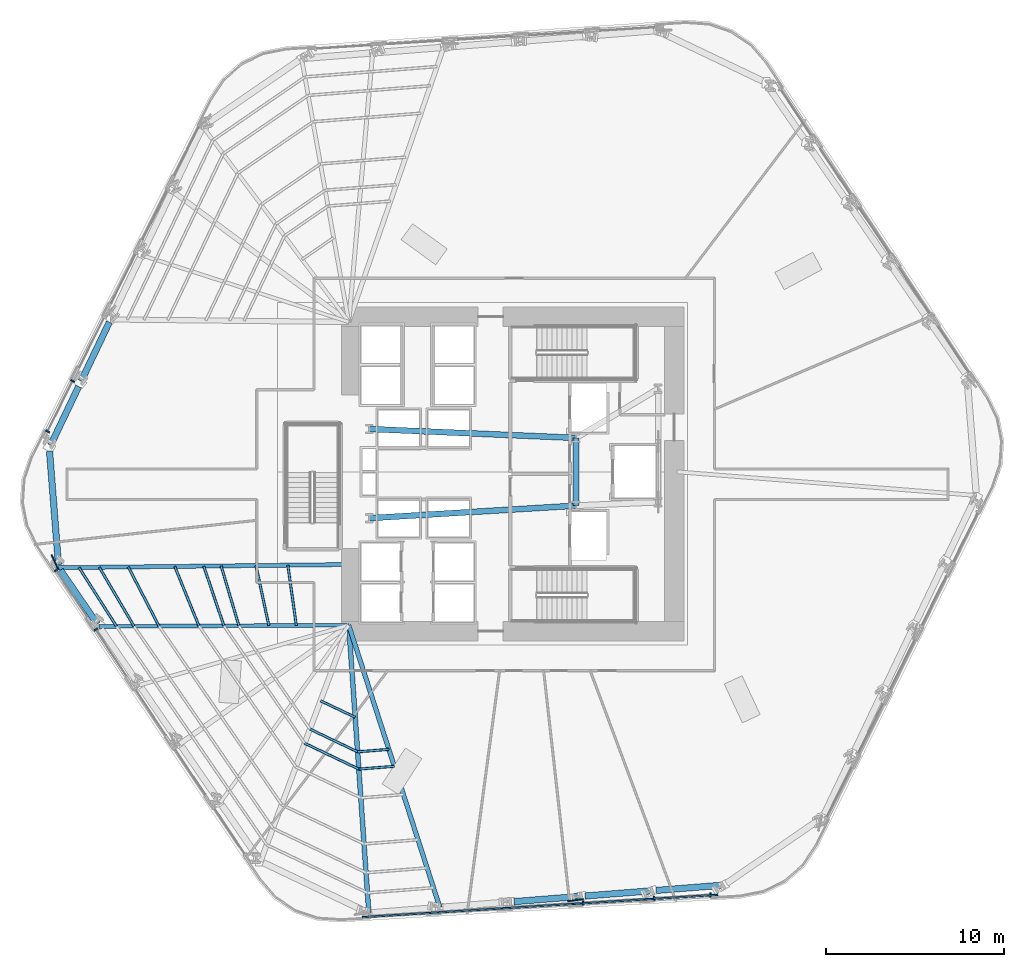
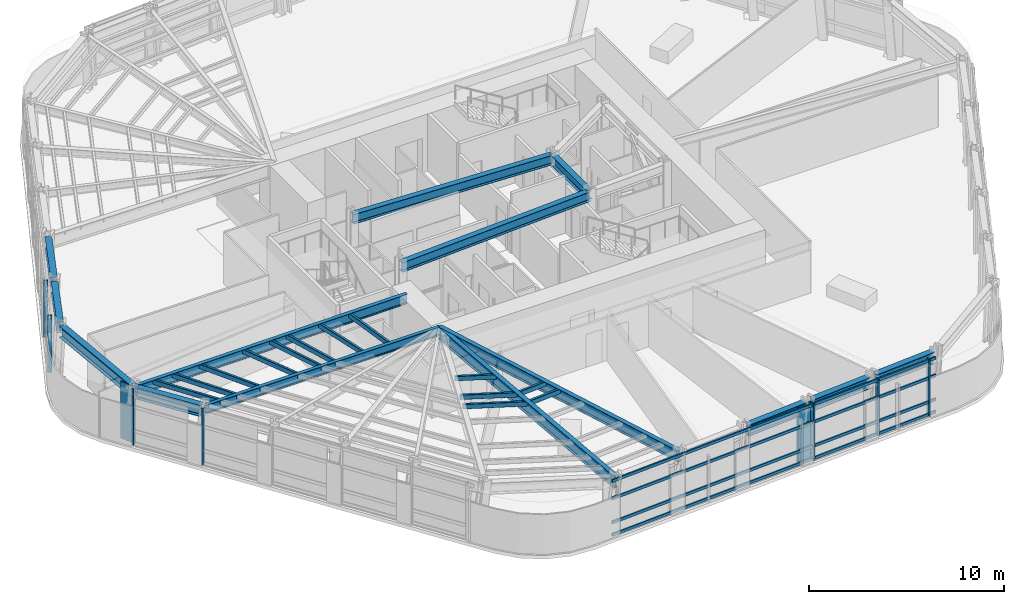
# One storey, part 3 of 15: 26 members, 14 beams, 3 elements without a shape of their own.
"""IFC4 building model written with IfcOpenShell, lengths in metres."""

from ifc_helpers import new_model, si_unit, direction, frame, origin, origin_2d, place, context, subcontext, project, spatial, rectangle, hollow_rectangle, i_section, extrude, material, layer, layer_set, material_profile, profile_set, type_object, element, aggregate, save


model = new_model("IFC4")

# Units and contexts
model_context = context("Model", 3, precision=1e-05, world=origin(), true_north=direction((0.0, 1.0)))
body_context = subcontext(model_context, "Body", "Model", "MODEL_VIEW")
ifc_project = project(units=[si_unit("LENGTHUNIT", "METRE"), si_unit("AREAUNIT", "SQUARE_METRE"), si_unit("VOLUMEUNIT", "CUBIC_METRE"), si_unit("PLANEANGLEUNIT", "RADIAN"), si_unit("MASSUNIT", "GRAM", prefix="KILO")], contexts=[model_context])

# Site, building, storey
site_placement = place(None, origin())
site = spatial("IfcSite", under=ifc_project, at=site_placement, CompositionType="ELEMENT")
building_placement = place(site_placement, origin())
building = spatial("IfcBuilding", under=site, at=building_placement, Name="Valkerne Bourse Tower", CompositionType="ELEMENT")
storey_placement = place(building_placement, frame((0.0, 0.0, 39.199951171875)))
storey = spatial("IfcBuildingStorey", under=building, at=storey_placement, Name="L09", CompositionType="ELEMENT", Elevation=39.199951171875)

# Beams
ifc_material_1 = material(Name="Steel ASTM A992", Category="steel")
ifc_material_profile_1 = material_profile(ifc_material_1, i_section(OverallWidth=0.2138671875, OverallDepth=0.548583984375, WebThickness=0.0146484375, FlangeThickness=0.023681640625, FilletRadius=0.017822265625, at=origin_2d()), Name="W21X93")
ifc_profile_set_1 = profile_set([ifc_material_profile_1], Name="Steel ASTM A992")
beam_type_1 = type_object("IfcBeamType", Name="BM-W21X93", PredefinedType="BEAM", material=ifc_profile_set_1)
beam_1_placement = place(storey_placement, frame((23.599365234375, 18.327880859375, 3.3056640625), z_axis=(0.999986769264, 0.005144054561, 0.0), x_axis=(-0.005144054561, 0.999986769264, 0.0)))
element("IfcBeam", 1, at=beam_1_placement, inside=storey, type_object=beam_type_1, Name="L09 Radial Composite Floor Beam 19", PredefinedType="BEAM", context=body_context, shape_type="SweptSolid", body=[
    extrude(i_section(OverallWidth=0.2138671875, OverallDepth=0.548583984375, WebThickness=0.0146484375, FlangeThickness=0.023681640625, FilletRadius=0.017822265625, at=origin_2d()), origin(), (0.0, 0.0, 1.0), 14.0009765625),
])
ifc_material_profile_2 = material_profile(ifc_material_1, i_section(OverallWidth=0.3251953125, OverallDepth=0.612060546875, WebThickness=0.0126953125, FlangeThickness=0.01904296875, FilletRadius=0.020263671875, at=origin_2d()), Name="W24X104")
ifc_profile_set_2 = profile_set([ifc_material_profile_2], Name="Steel ASTM A992")
beam_type_2 = type_object("IfcBeamType", Name="BM-W24X104", PredefinedType="BEAM", material=ifc_profile_set_2)
beam_2_placement = place(storey_placement, frame((50.35009765625, 25.10009765625, 3.274169921875), z_axis=(0.0, 1.0, 0.0), x_axis=(-1.0, 0.0, 0.0)))
element("IfcBeam", 2, at=beam_2_placement, inside=storey, type_object=beam_type_2, Name="L09 Core Frame Girder CG-CE", PredefinedType="BEAM", context=body_context, shape_type="SweptSolid", body=[
    extrude(i_section(OverallWidth=0.3251953125, OverallDepth=0.612060546875, WebThickness=0.0126953125, FlangeThickness=0.01904296875, FilletRadius=0.020263671875, at=origin_2d()), origin(), (0.0, 0.0, 1.0), 3.7998046875),
])
beam_3_placement = place(storey_placement, frame((38.75, 24.39990234375, 3.274169921875), z_axis=(0.998183228389, 0.060251494276, 0.0), x_axis=(-0.060251494276, 0.998183228389, 0.0)))
element("IfcBeam", 3, at=beam_3_placement, inside=storey, type_object=beam_type_2, Name="L09 Core Frame Girder CG-SW", PredefinedType="BEAM", context=body_context, shape_type="SweptSolid", body=[
    extrude(i_section(OverallWidth=0.3251953125, OverallDepth=0.612060546875, WebThickness=0.0126953125, FlangeThickness=0.01904296875, FilletRadius=0.020263671875, at=origin_2d()), origin(), (0.0, 0.0, 1.0), 11.62109375),
])
beam_4_placement = place(storey_placement, frame((38.75, 29.39990234375, 3.274169921875), z_axis=(0.999072354402, -0.043063101019, 0.0), x_axis=(0.043063101019, 0.999072354402, 0.0)))
element("IfcBeam", 4, at=beam_4_placement, inside=storey, type_object=beam_type_2, Name="L09 Core Frame Girder CG-NW", PredefinedType="BEAM", context=body_context, shape_type="SweptSolid", body=[
    extrude(i_section(OverallWidth=0.3251953125, OverallDepth=0.612060546875, WebThickness=0.0126953125, FlangeThickness=0.01904296875, FilletRadius=0.020263671875, at=origin_2d()), origin(), (0.0, 0.0, 1.0), 11.61083984375),
])
ifc_material_profile_3 = material_profile(ifc_material_1, i_section(OverallWidth=0.228271484375, OverallDepth=0.607177734375, WebThickness=0.01123046875, FlangeThickness=0.017333984375, FilletRadius=0.017822265625, at=origin_2d()), Name="W24X76")
ifc_profile_set_3 = profile_set([ifc_material_profile_3], Name="Steel ASTM A992")
beam_type_3 = type_object("IfcBeamType", Name="BM-W24X76", PredefinedType="JOIST", material=ifc_profile_set_3)
beam_5_placement = place(storey_placement, frame((21.3359375, 21.62109375, 3.2763671875), z_axis=(0.999939472137, 0.011002366223, 0.0), x_axis=(-0.011002366223, 0.999939472137, 0.0)))
element("IfcBeam", 5, at=beam_5_placement, inside=storey, type_object=beam_type_3, Name="L09 Radial Composite Floor Beam 18", PredefinedType="JOIST", context=body_context, shape_type="SweptSolid", body=[
    extrude(i_section(OverallWidth=0.228271484375, OverallDepth=0.607177734375, WebThickness=0.01123046875, FlangeThickness=0.017333984375, FilletRadius=0.017822265625, at=origin_2d()), origin(), (0.0, 0.0, 1.0), 16.26513671875),
])
ifc_material_profile_4 = material_profile(ifc_material_1, i_section(OverallWidth=0.255859375, OverallDepth=0.693359375, WebThickness=0.014404296875, FlangeThickness=0.023681640625, FilletRadius=0.02294921875, at=origin_2d()), Name="W27X114")
ifc_profile_set_4 = profile_set([ifc_material_profile_4], Name="Steel ASTM A992")
beam_type_4 = type_object("IfcBeamType", Name="BM-W27X114", PredefinedType="BEAM", material=ifc_profile_set_4)
beam_6_placement = place(storey_placement, frame((42.7099609375, 2.571533203125, 3.2333984375), z_axis=(-0.307217205623, 0.951639421509, 0.0), x_axis=(-0.951639421509, -0.307217205623, 0.0)))
element("IfcBeam", 6, at=beam_6_placement, inside=storey, type_object=beam_type_4, Name="L09 Radial Composite Floor Beam 25", PredefinedType="BEAM", context=body_context, shape_type="SweptSolid", body=[
    extrude(i_section(OverallWidth=0.255859375, OverallDepth=0.693359375, WebThickness=0.014404296875, FlangeThickness=0.023681640625, FilletRadius=0.02294921875, at=origin_2d()), origin(), (0.0, 0.0, 1.0), 16.6328125),
])
ifc_material_profile_5 = material_profile(ifc_material_1, i_section(OverallWidth=0.358154296875, OverallDepth=0.7060546875, WebThickness=0.018310546875, FlangeThickness=0.0302734375, FilletRadius=0.02294921875, at=origin_2d()), Name="W27X178")
ifc_profile_set_5 = profile_set([ifc_material_profile_5], Name="Steel ASTM A992")
beam_type_5 = type_object("IfcBeamType", Name="BM-W27X178", PredefinedType="SPANDREL", material=ifc_profile_set_5)
beam_7_placement = place(storey_placement, frame((24.175537109375, 35.389404296875, 3.22705078125), z_axis=(-0.430495958945, -0.902592504585, 0.0), x_axis=(0.902592504585, -0.430495958945, 0.0)))
element("IfcBeam", 7, at=beam_7_placement, inside=storey, type_object=beam_type_5, Name="L09 Hexagonal Spandrel Ring Beam 15", PredefinedType="SPANDREL", context=body_context, shape_type="SweptSolid", body=[
    extrude(i_section(OverallWidth=0.358154296875, OverallDepth=0.7060546875, WebThickness=0.018310546875, FlangeThickness=0.0302734375, FilletRadius=0.02294921875, at=origin_2d()), origin(), (0.0, 0.0, 1.0), 3.65625),
])
beam_8_placement = place(storey_placement, frame((22.455078125, 31.78271484375, 3.22705078125), z_axis=(-0.430441557106, -0.902618449798, 0.0), x_axis=(0.902618449798, -0.430441557106, 0.0)))
element("IfcBeam", 8, at=beam_8_placement, inside=storey, type_object=beam_type_5, Name="L09 Hexagonal Spandrel Ring Beam 16", PredefinedType="SPANDREL", context=body_context, shape_type="SweptSolid", body=[
    extrude(i_section(OverallWidth=0.358154296875, OverallDepth=0.7060546875, WebThickness=0.018310546875, FlangeThickness=0.0302734375, FilletRadius=0.02294921875, at=origin_2d()), origin(), (0.0, 0.0, 1.0), 3.656005859375),
])
beam_9_placement = place(storey_placement, frame((20.8212890625, 28.159912109375, 3.22705078125), z_axis=(0.078487622797, -0.996915088193, 0.0), x_axis=(0.996915088193, 0.078487622797, 0.0)))
element("IfcBeam", 9, at=beam_9_placement, inside=storey, type_object=beam_type_5, Name="L09 Hexagonal Spandrel Ring Beam 17", PredefinedType="SPANDREL", context=body_context, shape_type="SweptSolid", body=[
    extrude(i_section(OverallWidth=0.358154296875, OverallDepth=0.7060546875, WebThickness=0.018310546875, FlangeThickness=0.0302734375, FilletRadius=0.02294921875, at=origin_2d()), origin(), (0.0, 0.0, 1.0), 6.38916015625),
])
beam_10_placement = place(storey_placement, frame((21.432373046875, 21.48095703125, 3.22705078125), z_axis=(0.566418287264, -0.824117906523, 0.0), x_axis=(0.824117906523, 0.566418287264, 0.0)))
element("IfcBeam", 10, at=beam_10_placement, inside=storey, type_object=beam_type_5, Name="L09 Hexagonal Spandrel Ring Beam 18", PredefinedType="SPANDREL", context=body_context, shape_type="SweptSolid", body=[
    extrude(i_section(OverallWidth=0.358154296875, OverallDepth=0.7060546875, WebThickness=0.018310546875, FlangeThickness=0.0302734375, FilletRadius=0.02294921875, at=origin_2d()), origin(), (0.0, 0.0, 1.0), 3.656005859375),
])
beam_11_placement = place(storey_placement, frame((46.86328125, 2.8984375, 3.22705078125), z_axis=(0.996916597594, 0.078468448699, 0.0), x_axis=(-0.078468448699, 0.996916597594, 0.0)))
element("IfcBeam", 11, at=beam_11_placement, inside=storey, type_object=beam_type_5, Name="L09 Hexagonal Spandrel Ring Beam 26", PredefinedType="SPANDREL", context=body_context, shape_type="SweptSolid", body=[
    extrude(i_section(OverallWidth=0.358154296875, OverallDepth=0.7060546875, WebThickness=0.018310546875, FlangeThickness=0.0302734375, FilletRadius=0.02294921875, at=origin_2d()), origin(), (0.0, 0.0, 1.0), 3.65576171875),
])
beam_12_placement = place(storey_placement, frame((50.846923828125, 3.2119140625, 3.22705078125), z_axis=(0.996917008748, 0.07846322495, 0.0), x_axis=(-0.07846322495, 0.996917008748, 0.0)))
element("IfcBeam", 12, at=beam_12_placement, inside=storey, type_object=beam_type_5, Name="L09 Hexagonal Spandrel Ring Beam 27", PredefinedType="SPANDREL", context=body_context, shape_type="SweptSolid", body=[
    extrude(i_section(OverallWidth=0.358154296875, OverallDepth=0.7060546875, WebThickness=0.018310546875, FlangeThickness=0.0302734375, FilletRadius=0.02294921875, at=origin_2d()), origin(), (0.0, 0.0, 1.0), 3.656005859375),
])
beam_13_placement = place(storey_placement, frame((54.83056640625, 3.525390625, 3.22705078125), z_axis=(0.996911371317, 0.078534818641, 0.0), x_axis=(-0.078534818641, 0.996911371317, 0.0)))
element("IfcBeam", 13, at=beam_13_placement, inside=storey, type_object=beam_type_5, Name="L09 Hexagonal Spandrel Ring Beam 28", PredefinedType="SPANDREL", context=body_context, shape_type="SweptSolid", body=[
    extrude(i_section(OverallWidth=0.358154296875, OverallDepth=0.7060546875, WebThickness=0.018310546875, FlangeThickness=0.0302734375, FilletRadius=0.02294921875, at=origin_2d()), origin(), (0.0, 0.0, 1.0), 3.65576171875),
])
ifc_material_profile_6 = material_profile(ifc_material_1, i_section(OverallWidth=0.26806640625, OverallDepth=0.76953125, WebThickness=0.015625, FlangeThickness=0.025390625, FilletRadius=0.025390625, at=origin_2d()), Name="W30X132")
ifc_profile_set_6 = profile_set([ifc_material_profile_6], Name="Steel ASTM A992")
beam_type_6 = type_object("IfcBeamType", Name="BM-W30X132", PredefinedType="BEAM", material=ifc_profile_set_6)
beam_14_placement = place(storey_placement, frame((38.726318359375, 2.258056640625, 3.1953125), z_axis=(-0.069601056326, 0.997574905939, 0.0), x_axis=(-0.997574905939, -0.069601056326, 0.0)))
element("IfcBeam", 14, at=beam_14_placement, inside=storey, type_object=beam_type_6, Name="L09 Radial Composite Floor Beam 24", PredefinedType="BEAM", context=body_context, shape_type="SweptSolid", body=[
    extrude(i_section(OverallWidth=0.26806640625, OverallDepth=0.76953125, WebThickness=0.015625, FlangeThickness=0.025390625, FilletRadius=0.025390625, at=origin_2d()), origin(), (0.0, 0.0, 1.0), 16.18115234375),
])

# Curtain wall, members
ifc_material_2 = material(Name="Aluminium AA 6063-T6", Category="aluminium")
ifc_layer = layer(ifc_material_2, 0.22509765625)
ifc_layer_set = layer_set([ifc_layer], Name="Aluminium AA 6063-T6")
curtain_wall_type = type_object("IfcCurtainWallType", Name="CW-01", PredefinedType="NOTDEFINED", material=ifc_layer_set)
curtain_wall_1_placement = place(storey_placement, origin())
curtain_wall_1 = element("IfcCurtainWall", 15, at=curtain_wall_1_placement, inside=storey, type_object=curtain_wall_type, Name="L09 Hexagonal Stick Curtain Wall Face 3", PredefinedType="NOTDEFINED")
ifc_material_profile_7 = material_profile(ifc_material_2, rectangle(XDim=0.090087890625, YDim=0.239990234375, at=origin_2d()), Name="CWM-90X240")
ifc_profile_set_7 = profile_set([ifc_material_profile_7], Name="Aluminium AA 6063-T6")
member_type_1 = type_object("IfcMemberType", Name="CW-MUL-240X90", PredefinedType="MULLION", material=ifc_profile_set_7)
member_1_placement = place(storey_placement, frame((22.11767578125, 32.091796875, 0.0), z_axis=(0.0, 0.0, 1.0), x_axis=(-0.444619127058, -0.895719728405, 0.0)))
member_1 = element("IfcMember", 16, at=member_1_placement, type_object=member_type_1, Name="CW-L09-F3 Jamb Mullion 04A", PredefinedType="MULLION", context=body_context, shape_type="SweptSolid", body=[
    extrude(rectangle(XDim=0.090087890625, YDim=0.239990234375, at=origin_2d()), origin(), (0.0, 0.0, 1.0), 3.580078125),
])
member_2_placement = place(storey_placement, frame((20.71435546875, 29.264892578125, 0.0), z_axis=(0.0, 0.0, 1.0), x_axis=(-0.444619127058, -0.895719728405, 0.0)))
member_2 = element("IfcMember", 17, at=member_2_placement, type_object=member_type_1, Name="CW-L09-F3 Jamb Mullion 04B", PredefinedType="MULLION", context=body_context, shape_type="SweptSolid", body=[
    extrude(rectangle(XDim=0.090087890625, YDim=0.239990234375, at=origin_2d()), origin(), (0.0, 0.0, 1.0), 3.580078125),
])
aggregate(curtain_wall_1, [member_1, member_2])

curtain_wall_2_placement = place(storey_placement, origin())
curtain_wall_2 = element("IfcCurtainWall", 18, at=curtain_wall_2_placement, inside=storey, type_object=curtain_wall_type, Name="L09 Hexagonal Stick Curtain Wall Face 4", PredefinedType="NOTDEFINED")
member_3_placement = place(storey_placement, frame((21.203857421875, 21.483642578125, 0.0), z_axis=(0.0, 0.0, 1.0), x_axis=(0.553377022495, -0.832930892076, 0.0)))
member_3 = element("IfcMember", 19, at=member_3_placement, type_object=member_type_1, Name="CW-L09-F4 Jamb Mullion 00A", PredefinedType="MULLION", context=body_context, shape_type="SweptSolid", body=[
    extrude(rectangle(XDim=0.090087890625, YDim=0.239990234375, at=origin_2d()), origin(), (0.0, 0.0, 1.0), 3.580078125),
])
member_4_placement = place(storey_placement, frame((23.415283203125, 18.1552734375, 0.0), z_axis=(0.0, 0.0, 1.0), x_axis=(0.553405918649, -0.832911693521, 0.0)))
member_4 = element("IfcMember", 20, at=member_4_placement, type_object=member_type_1, Name="CW-L09-F4 Jamb Mullion 01A", PredefinedType="MULLION", context=body_context, shape_type="SweptSolid", body=[
    extrude(rectangle(XDim=0.090087890625, YDim=0.239990234375, at=origin_2d()), origin(), (0.0, 0.0, 1.0), 3.580078125),
])
aggregate(curtain_wall_2, [member_3, member_4])

curtain_wall_3_placement = place(storey_placement, origin())
curtain_wall_3 = element("IfcCurtainWall", 21, at=curtain_wall_3_placement, inside=storey, type_object=curtain_wall_type, Name="L09 Hexagonal Stick Curtain Wall Face 5", PredefinedType="NOTDEFINED")
member_5_placement = place(storey_placement, frame((50.74365234375, 2.82763671875, 0.0), z_axis=(0.0, 0.0, 1.0), x_axis=(0.998026885005, 0.062788030758, 0.0)))
member_5 = element("IfcMember", 22, at=member_5_placement, type_object=member_type_1, Name="CW-L09-F5 Jamb Mullion 03A", PredefinedType="MULLION", context=body_context, shape_type="SweptSolid", body=[
    extrude(rectangle(XDim=0.090087890625, YDim=0.239990234375, at=origin_2d()), origin(), (0.0, 0.0, 1.0), 3.580078125),
])
member_6_placement = place(storey_placement, frame((54.731689453125, 3.07861328125, 0.0), z_axis=(0.0, 0.0, 1.0), x_axis=(0.998026885005, 0.062788030758, 0.0)))
member_6 = element("IfcMember", 23, at=member_6_placement, type_object=member_type_1, Name="CW-L09-F5 Jamb Mullion 04A", PredefinedType="MULLION", context=body_context, shape_type="SweptSolid", body=[
    extrude(rectangle(XDim=0.090087890625, YDim=0.239990234375, at=origin_2d()), origin(), (0.0, 0.0, 1.0), 3.580078125),
])
member_7_placement = place(storey_placement, frame((57.881591796875, 3.27685546875, 0.0), z_axis=(0.0, 0.0, 1.0), x_axis=(0.998026885005, 0.062788030758, 0.0)))
member_7 = element("IfcMember", 24, at=member_7_placement, type_object=member_type_1, Name="CW-L09-F5 Jamb Mullion 04B", PredefinedType="MULLION", context=body_context, shape_type="SweptSolid", body=[
    extrude(rectangle(XDim=0.090087890625, YDim=0.239990234375, at=origin_2d()), origin(), (0.0, 0.0, 1.0), 3.580078125),
])
ifc_material_profile_8 = material_profile(ifc_material_2, rectangle(XDim=0.090087890625, YDim=0.179931640625, at=origin_2d()), Name="CWT-90X180")
ifc_profile_set_8 = profile_set([ifc_material_profile_8], Name="Aluminium AA 6063-T6")
member_type_2 = type_object("IfcMemberType", Name="CW-TRN-180X90", PredefinedType="USERDEFINED", material=ifc_profile_set_8)
member_8_placement = place(storey_placement, frame((38.361328125, 2.028564453125, 0.1201171875), z_axis=(0.998026484364, 0.062794398706, 0.0), x_axis=(-0.062794398706, 0.998026484364, 0.0)))
member_8 = element("IfcMember", 25, at=member_8_placement, type_object=member_type_2, Name="CW-L09-F5 Continuous Face Transom 1", ObjectType="TRANSOM", PredefinedType="USERDEFINED", context=body_context, shape_type="SweptSolid", body=[
    extrude(rectangle(XDim=0.090087890625, YDim=0.179931640625, at=origin_2d()), origin(), (0.0, 0.0, 1.0), 19.980224609375),
])
member_9_placement = place(storey_placement, frame((38.361328125, 2.028564453125, 0.900146484375), z_axis=(0.998026484364, 0.062794398706, 0.0), x_axis=(-0.062794398706, 0.998026484364, 0.0)))
member_9 = element("IfcMember", 26, at=member_9_placement, type_object=member_type_2, Name="CW-L09-F5 Continuous Face Transom 2", ObjectType="TRANSOM", PredefinedType="USERDEFINED", context=body_context, shape_type="SweptSolid", body=[
    extrude(rectangle(XDim=0.090087890625, YDim=0.179931640625, at=origin_2d()), origin(), (0.0, 0.0, 1.0), 19.980224609375),
])
member_10_placement = place(storey_placement, frame((38.361328125, 2.028564453125, 2.400146484375), z_axis=(0.998026484364, 0.062794398706, 0.0), x_axis=(-0.062794398706, 0.998026484364, 0.0)))
member_10 = element("IfcMember", 27, at=member_10_placement, type_object=member_type_2, Name="CW-L09-F5 Continuous Face Transom 3", ObjectType="TRANSOM", PredefinedType="USERDEFINED", context=body_context, shape_type="SweptSolid", body=[
    extrude(rectangle(XDim=0.090087890625, YDim=0.179931640625, at=origin_2d()), origin(), (0.0, 0.0, 1.0), 19.980224609375),
])
member_11_placement = place(storey_placement, frame((38.361328125, 2.028564453125, 3.5), z_axis=(0.998026484364, 0.062794398706, 0.0), x_axis=(-0.062794398706, 0.998026484364, 0.0)))
member_11 = element("IfcMember", 28, at=member_11_placement, type_object=member_type_2, Name="CW-L09-F5 Continuous Face Transom 4", ObjectType="TRANSOM", PredefinedType="USERDEFINED", context=body_context, shape_type="SweptSolid", body=[
    extrude(rectangle(XDim=0.090087890625, YDim=0.179931640625, at=origin_2d()), origin(), (0.0, 0.0, 1.0), 19.980224609375),
])
aggregate(curtain_wall_3, [member_8, member_9, member_10, member_11, member_5, member_6, member_7])

# Members
ifc_material_3 = material(Name="Bronze Anodised Aluminium AA 6063-T6", Category="aluminium")
ifc_material_profile_9 = material_profile(ifc_material_3, rectangle(XDim=0.070068359375, YDim=0.89990234375, at=origin_2d()), Name="FIN-70X900")
ifc_profile_set_9 = profile_set([ifc_material_profile_9], Name="Bronze Anodised Aluminium AA 6063-T6")
member_type_3 = type_object("IfcMemberType", Name="FIN-SOLAR-900", PredefinedType="USERDEFINED", material=ifc_profile_set_9)
for number, where, z_axis, x_axis, name in (
    (29, (21.121337890625, 21.93310546875, 0.004150390625), (0.0, 0.0, 1.0), (-0.913056895676, -0.407832202332, 0.0), "L09 Bronze Anodised Solar Fin F4-00"),
    (30, (50.31298828125, 2.98095703125, 0.004150390625), (0.0, 0.0, 1.0), (0.134269630775, -0.99094483512, 0.0), "L09 Bronze Anodised Solar Fin F5-03"),
):
    element("IfcMember", number, at=place(storey_placement, frame(where, z_axis=z_axis, x_axis=x_axis)), inside=storey, type_object=member_type_3, Name=name, ObjectType="SOLAR_FIN", PredefinedType="USERDEFINED", context=body_context, shape_type="SweptSolid", body=[
        extrude(rectangle(XDim=0.070068359375, YDim=0.89990234375, at=origin_2d()), origin(), (0.0, 0.0, 1.0), 3.57177734375),
    ])
ifc_material_4 = material(Name="Steel ASTM A500 Grade C", Category="steel")
ifc_material_profile_10 = material_profile(ifc_material_4, hollow_rectangle(XDim=0.14990234375, YDim=0.300048828125, WallThickness=0.012451171875, OuterFilletRadius=0.02490234375, at=origin_2d()), Name="HSS300X150X12.5")
ifc_profile_set_10 = profile_set([ifc_material_profile_10], Name="Steel ASTM A500 Grade C")
member_type_4 = type_object("IfcMemberType", Name="MBR-HSS300X150X12.5", PredefinedType="PURLIN", material=ifc_profile_set_10)
member_12_placement = place(storey_placement, frame((32.3955078125, 21.74267578125, 3.420166015625), z_axis=(0.210400724168, -0.97761522864, 0.0), x_axis=(0.97761522864, 0.210400724168, 0.0)))
element("IfcMember", 31, at=member_12_placement, inside=storey, type_object=member_type_4, Name="L09 Secondary Composite Floor Purlin I-18", PredefinedType="PURLIN", context=body_context, shape_type="SweptSolid", body=[
    extrude(hollow_rectangle(XDim=0.14990234375, YDim=0.300048828125, WallThickness=0.012451171875, OuterFilletRadius=0.02490234375, at=origin_2d()), origin(), (0.0, 0.0, 1.0), 3.44287109375),
])
member_13_placement = place(storey_placement, frame((36.016845703125, 14.16162109375, 3.420166015625), z_axis=(0.902594192821, -0.430492419312, 0.0), x_axis=(0.430492419312, 0.902594192821, 0.0)))
element("IfcMember", 32, at=member_13_placement, inside=storey, type_object=member_type_4, Name="L09 Secondary Composite Floor Purlin I-23", PredefinedType="PURLIN", context=body_context, shape_type="SweptSolid", body=[
    extrude(hollow_rectangle(XDim=0.14990234375, YDim=0.300048828125, WallThickness=0.012451171875, OuterFilletRadius=0.02490234375, at=origin_2d()), origin(), (0.0, 0.0, 1.0), 2.1533203125),
])
member_14_placement = place(storey_placement, frame((30.44384765625, 21.72119140625, 3.420166015625), z_axis=(0.28470853609, -0.958614129605, 0.0), x_axis=(0.958614129605, 0.28470853609, 0.0)))
element("IfcMember", 33, at=member_14_placement, inside=storey, type_object=member_type_4, Name="L09 Secondary Composite Floor Purlin K-18", PredefinedType="PURLIN", context=body_context, shape_type="SweptSolid", body=[
    extrude(hollow_rectangle(XDim=0.14990234375, YDim=0.300048828125, WallThickness=0.012451171875, OuterFilletRadius=0.02490234375, at=origin_2d()), origin(), (0.0, 0.0, 1.0), 3.497802734375),
])
member_15_placement = place(storey_placement, frame((35.423095703125, 12.572265625, 3.420166015625), z_axis=(0.902599738234, -0.430480792301, 0.0), x_axis=(0.430480792301, 0.902599738234, 0.0)))
element("IfcMember", 34, at=member_15_placement, inside=storey, type_object=member_type_4, Name="L09 Secondary Composite Floor Purlin K-23", PredefinedType="PURLIN", context=body_context, shape_type="SweptSolid", body=[
    extrude(hollow_rectangle(XDim=0.14990234375, YDim=0.300048828125, WallThickness=0.012451171875, OuterFilletRadius=0.02490234375, at=origin_2d()), origin(), (0.0, 0.0, 1.0), 2.9609375),
])
member_16_placement = place(storey_placement, frame((38.095703125, 11.297607421875, 3.420166015625), z_axis=(0.996917328881, 0.078459157378, 0.0), x_axis=(-0.078459157378, 0.996917328881, 0.0)))
element("IfcMember", 35, at=member_16_placement, inside=storey, type_object=member_type_4, Name="L09 Secondary Composite Floor Purlin K-24", PredefinedType="PURLIN", context=body_context, shape_type="SweptSolid", body=[
    extrude(hollow_rectangle(XDim=0.14990234375, YDim=0.300048828125, WallThickness=0.012451171875, OuterFilletRadius=0.02490234375, at=origin_2d()), origin(), (0.0, 0.0, 1.0), 1.758056640625),
])
member_17_placement = place(storey_placement, frame((29.468017578125, 21.71044921875, 3.420166015625), z_axis=(0.32033000536, -0.94730601585, 0.0), x_axis=(0.94730601585, 0.32033000536, 0.0)))
element("IfcMember", 36, at=member_17_placement, inside=storey, type_object=member_type_4, Name="L09 Secondary Composite Floor Purlin M-18", PredefinedType="PURLIN", context=body_context, shape_type="SweptSolid", body=[
    extrude(hollow_rectangle(XDim=0.14990234375, YDim=0.300048828125, WallThickness=0.012451171875, OuterFilletRadius=0.02490234375, at=origin_2d()), origin(), (0.0, 0.0, 1.0), 3.532470703125),
])
member_18_placement = place(storey_placement, frame((35.12646484375, 11.777587890625, 3.420166015625), z_axis=(0.902574616407, -0.430533461902, 0.0), x_axis=(0.430533461902, 0.902574616407, 0.0)))
element("IfcMember", 37, at=member_18_placement, inside=storey, type_object=member_type_4, Name="L09 Secondary Composite Floor Purlin M-23", PredefinedType="PURLIN", context=body_context, shape_type="SweptSolid", body=[
    extrude(hollow_rectangle(XDim=0.14990234375, YDim=0.300048828125, WallThickness=0.012451171875, OuterFilletRadius=0.02490234375, at=origin_2d()), origin(), (0.0, 0.0, 1.0), 3.364501953125),
])
member_19_placement = place(storey_placement, frame((38.1630859375, 10.3291015625, 3.420166015625), z_axis=(0.996918549522, 0.078443646132, 0.0), x_axis=(-0.078443646132, 0.996918549522, 0.0)))
element("IfcMember", 38, at=member_19_placement, inside=storey, type_object=member_type_4, Name="L09 Secondary Composite Floor Purlin M-24", PredefinedType="PURLIN", context=body_context, shape_type="SweptSolid", body=[
    extrude(hollow_rectangle(XDim=0.14990234375, YDim=0.300048828125, WallThickness=0.012451171875, OuterFilletRadius=0.02490234375, at=origin_2d()), origin(), (0.0, 0.0, 1.0), 1.998046875),
])
member_20_placement = place(storey_placement, frame((25.239501953125, 21.6640625, 3.420166015625), z_axis=(0.460124606136, -0.887854350008, 0.0), x_axis=(0.887854350008, 0.460124606136, 0.0)))
element("IfcMember", 39, at=member_20_placement, inside=storey, type_object=member_type_4, Name="L09 Secondary Composite Floor Purlin O-18", PredefinedType="PURLIN", context=body_context, shape_type="SweptSolid", body=[
    extrude(hollow_rectangle(XDim=0.14990234375, YDim=0.300048828125, WallThickness=0.012451171875, OuterFilletRadius=0.02490234375, at=origin_2d()), origin(), (0.0, 0.0, 1.0), 3.738037109375),
])
member_21_placement = place(storey_placement, frame((27.841552734375, 21.692626953125, 3.420166015625), z_axis=(0.377075107481, -0.926182683556, 0.0), x_axis=(0.926182683556, 0.377075107481, 0.0)))
element("IfcMember", 40, at=member_21_placement, inside=storey, type_object=member_type_4, Name="L09 Secondary Composite Floor Purlin Z-18", PredefinedType="PURLIN", context=body_context, shape_type="SweptSolid", body=[
    extrude(hollow_rectangle(XDim=0.14990234375, YDim=0.300048828125, WallThickness=0.012451171875, OuterFilletRadius=0.02490234375, at=origin_2d()), origin(), (0.0, 0.0, 1.0), 3.601806640625),
])
member_22_placement = place(storey_placement, frame((34.1845703125, 21.762451171875, 3.420166015625), z_axis=(0.139356821397, -0.990242231138, 0.0), x_axis=(0.990242231138, 0.139356821397, 0.0)))
element("IfcMember", 41, at=member_22_placement, inside=storey, type_object=member_type_4, Name="L09 Secondary Composite Floor Purlin S-18", PredefinedType="PURLIN", context=body_context, shape_type="SweptSolid", body=[
    extrude(hollow_rectangle(XDim=0.14990234375, YDim=0.300048828125, WallThickness=0.012451171875, OuterFilletRadius=0.02490234375, at=origin_2d()), origin(), (0.0, 0.0, 1.0), 3.410888671875),
])
member_23_placement = place(storey_placement, frame((23.613037109375, 21.64599609375, 3.420166015625), z_axis=(0.50713409047, -0.861867167424, 0.0), x_axis=(0.861867167424, 0.50713409047, 0.0)))
element("IfcMember", 42, at=member_23_placement, inside=storey, type_object=member_type_4, Name="L09 Secondary Composite Floor Purlin T-18", PredefinedType="PURLIN", context=body_context, shape_type="SweptSolid", body=[
    extrude(hollow_rectangle(XDim=0.14990234375, YDim=0.300048828125, WallThickness=0.012451171875, OuterFilletRadius=0.02490234375, at=origin_2d()), origin(), (0.0, 0.0, 1.0), 3.83837890625),
])
member_24_placement = place(storey_placement, frame((22.474609375, 21.633544921875, 3.420166015625), z_axis=(0.537674295193, -0.843152626924, 0.0), x_axis=(0.843152626924, 0.537674295193, 0.0)))
element("IfcMember", 43, at=member_24_placement, inside=storey, type_object=member_type_4, Name="L09 Secondary Composite Floor Purlin U-18", PredefinedType="PURLIN", context=body_context, shape_type="SweptSolid", body=[
    extrude(hollow_rectangle(XDim=0.14990234375, YDim=0.300048828125, WallThickness=0.012451171875, OuterFilletRadius=0.02490234375, at=origin_2d()), origin(), (0.0, 0.0, 1.0), 3.91455078125),
])

save(model, "model.ifc")
